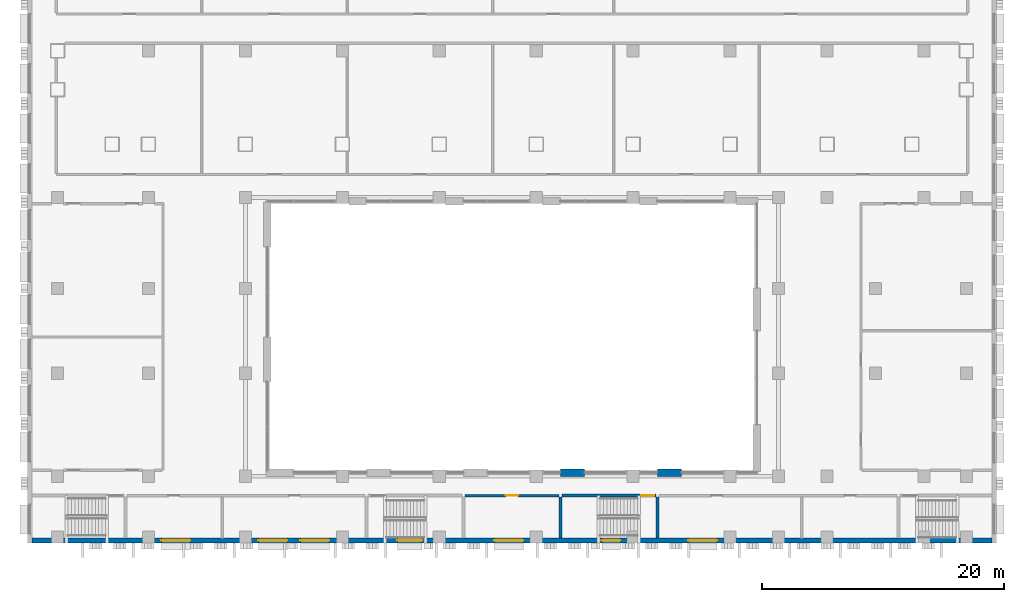
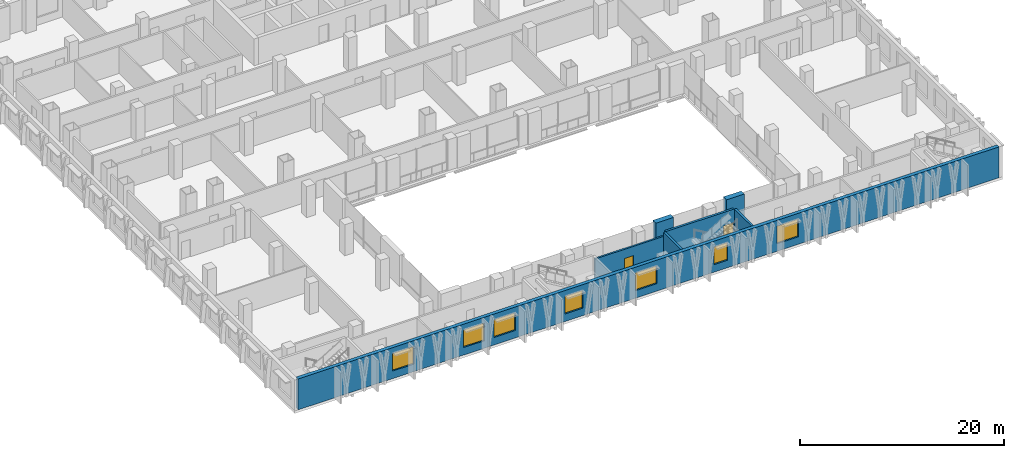
# One storey, part 8 of 24: 7 walls, 7 windows, 2 doors, 9 openings.
"""IFC4 building model written with IfcOpenShell, lengths in metres."""

from ifc_helpers import new_model, si_unit, direction, frame, frame_2d, origin, place, context, subcontext, project, spatial, rectangle, extrude, material, layer, layer_set, type_object, element, fill, save


model = new_model("IFC4")

# Units and contexts
model_context = context("Model", 3, precision=1e-05, world=origin(), true_north=direction((0.0, 1.0)))
body_context = subcontext(model_context, "Body", "Model", "MODEL_VIEW")
ifc_project = project(units=[si_unit("LENGTHUNIT", "METRE"), si_unit("AREAUNIT", "SQUARE_METRE"), si_unit("VOLUMEUNIT", "CUBIC_METRE"), si_unit("PLANEANGLEUNIT", "RADIAN"), si_unit("MASSUNIT", "GRAM", prefix="KILO")], contexts=[model_context])

# Site, building, storey
site_placement = place(None, origin())
site = spatial("IfcSite", under=ifc_project, at=site_placement, CompositionType="ELEMENT")
building_placement = place(site_placement, origin())
building = spatial("IfcBuilding", under=site, at=building_placement, Name="Vidyagriha Tower", CompositionType="ELEMENT")
storey_placement = place(building_placement, frame((0.0, 0.0, 22.0)))
storey = spatial("IfcBuildingStorey", under=building, at=storey_placement, Name="L05", CompositionType="ELEMENT", Elevation=22.0)

# Wall, openings, windows
ifc_material_1 = material(Name="Concrete C40/50 board-marked with brick facing", Category="concrete")
ifc_layer_1 = layer(ifc_material_1, 0.39990234375)
ifc_layer_set_1 = layer_set([ifc_layer_1], Name="Concrete C40/50 board-marked with brick facing")
wall_type_1 = type_object("IfcWallType", Name="Brick-faced board-marked concrete podium wall 400", PredefinedType="STANDARD", material=ifc_layer_set_1)
wall_1_placement = place(storey_placement, frame((-39.60009765625, -49.800048828125, 0.0)))
wall_1 = element("IfcWall", 1, at=wall_1_placement, inside=storey, type_object=wall_type_1, Name="Podium wall L05 R06", PredefinedType="STANDARD", context=body_context, shape_type="SweptSolid", body=[
    extrude(rectangle(XDim=79.2001953125, YDim=0.39990234375, at=frame_2d((39.60009765625, 0.0))), origin(), (0.0, 0.0, 1.0), 3.699951171875),
])
opening_1_placement = place(wall_1_placement, frame((10.6650390625, 0.0, 0.89990234375)))
opening_1 = element("IfcOpeningElement", 2, at=opening_1_placement, cuts=wall_1, Name="Opening WN3", PredefinedType="OPENING", context=body_context, shape_type="SweptSolid", body=[
    extrude(rectangle(XDim=2.39990234375, YDim=2.10009765625, at=frame_2d((1.199951171875, 1.050048828125))), frame((0.0, 0.2099609375, 0.0), z_axis=(0.0, -1.0, 0.0), x_axis=(1.0, 0.0, 0.0)), (0.0, 0.0, 1.0), 0.419921875),
])
opening_2_placement = place(wall_1_placement, frame((18.6650390625, 0.0, 0.89990234375)))
opening_2 = element("IfcOpeningElement", 3, at=opening_2_placement, cuts=wall_1, Name="Opening WN3", PredefinedType="OPENING", context=body_context, shape_type="SweptSolid", body=[
    extrude(rectangle(XDim=2.39990234375, YDim=2.10009765625, at=frame_2d((1.199951171875, 1.050048828125))), frame((0.0, 0.2099609375, 0.0), z_axis=(0.0, -1.0, 0.0), x_axis=(1.0, 0.0, 0.0)), (0.0, 0.0, 1.0), 0.419921875),
])
opening_3_placement = place(wall_1_placement, frame((22.135009765625, 0.0, 0.89990234375)))
opening_3 = element("IfcOpeningElement", 4, at=opening_3_placement, cuts=wall_1, Name="Opening WN3", PredefinedType="OPENING", context=body_context, shape_type="SweptSolid", body=[
    extrude(rectangle(XDim=2.39990234375, YDim=2.10009765625, at=frame_2d((1.199951171875, 1.050048828125))), frame((0.0, 0.2099609375, 0.0), z_axis=(0.0, -1.0, 0.0), x_axis=(1.0, 0.0, 0.0)), (0.0, 0.0, 1.0), 0.419921875),
])
opening_4_placement = place(wall_1_placement, frame((30.135009765625, 0.0, 0.89990234375)))
opening_4 = element("IfcOpeningElement", 5, at=opening_4_placement, cuts=wall_1, Name="Opening WN7", PredefinedType="OPENING", context=body_context, shape_type="SweptSolid", body=[
    extrude(rectangle(XDim=2.050048828125, YDim=2.10009765625, at=frame_2d((1.02490234375, 1.050048828125))), frame((0.0, 0.2099609375, 0.0), z_axis=(0.0, -1.0, 0.0), x_axis=(1.0, 0.0, 0.0)), (0.0, 0.0, 1.0), 0.419921875),
])
opening_5_placement = place(wall_1_placement, frame((38.135009765625, 0.0, 0.89990234375)))
opening_5 = element("IfcOpeningElement", 6, at=opening_5_placement, cuts=wall_1, Name="Opening WN3", PredefinedType="OPENING", context=body_context, shape_type="SweptSolid", body=[
    extrude(rectangle(XDim=2.39990234375, YDim=2.10009765625, at=frame_2d((1.199951171875, 1.050048828125))), frame((0.0, 0.2099609375, 0.0), z_axis=(0.0, -1.0, 0.0), x_axis=(1.0, 0.0, 0.0)), (0.0, 0.0, 1.0), 0.419921875),
])
opening_6_placement = place(wall_1_placement, frame((47.014892578125, 0.0, 0.89990234375)))
opening_6 = element("IfcOpeningElement", 7, at=opening_6_placement, cuts=wall_1, Name="Opening WN8", PredefinedType="OPENING", context=body_context, shape_type="SweptSolid", body=[
    extrude(rectangle(XDim=1.52001953125, YDim=2.10009765625, at=frame_2d((0.760009765625, 1.050048828125))), frame((0.0, 0.2099609375, 0.0), z_axis=(0.0, -1.0, 0.0), x_axis=(1.0, 0.0, 0.0)), (0.0, 0.0, 1.0), 0.419921875),
])
opening_7_placement = place(wall_1_placement, frame((54.135009765625, 0.0, 0.89990234375)))
opening_7 = element("IfcOpeningElement", 8, at=opening_7_placement, cuts=wall_1, Name="Opening WN3", PredefinedType="OPENING", context=body_context, shape_type="SweptSolid", body=[
    extrude(rectangle(XDim=2.39990234375, YDim=2.10009765625, at=frame_2d((1.199951171875, 1.050048828125))), frame((0.0, 0.2099609375, 0.0), z_axis=(0.0, -1.0, 0.0), x_axis=(1.0, 0.0, 0.0)), (0.0, 0.0, 1.0), 0.419921875),
])
ifc_material_2 = material(Name="Aluminium and glass window", Category="aluminium")
window_type_1 = type_object("IfcWindowType", Name="Podium school window 1520x2100", PartitioningType="NOTDEFINED", PredefinedType="WINDOW", material=ifc_material_2)
window_1_placement = place(opening_6_placement, origin())
window_1 = element("IfcWindow", 9, at=window_1_placement, inside=storey, type_object=window_type_1, Name="School window L05 R06.24", OverallHeight=2.10009765625, OverallWidth=1.52001953125, PartitioningType="SINGLE_PANEL", PredefinedType="WINDOW", context=body_context, shape_type="SweptSolid", body=[
    extrude(rectangle(XDim=1.52001953125, YDim=2.10009765625, at=frame_2d((0.760009765625, 1.050048828125))), frame((0.0, 0.030029296875, 0.0), z_axis=(0.0, -1.0, 0.0), x_axis=(1.0, 0.0, 0.0)), (0.0, 0.0, 1.0), 0.06005859375),
])
fill(opening_6, window_1)
ifc_material_3 = material(Name="Aluminium and glass window", Category="aluminium")
window_type_2 = type_object("IfcWindowType", Name="Podium school window 2050x2100", PartitioningType="NOTDEFINED", PredefinedType="WINDOW", material=ifc_material_3)
window_2_placement = place(opening_4_placement, origin())
window_2 = element("IfcWindow", 10, at=window_2_placement, inside=storey, type_object=window_type_2, Name="School window L05 R06.16", OverallHeight=2.10009765625, OverallWidth=2.050048828125, PartitioningType="SINGLE_PANEL", PredefinedType="WINDOW", context=body_context, shape_type="SweptSolid", body=[
    extrude(rectangle(XDim=2.050048828125, YDim=2.10009765625, at=frame_2d((1.02490234375, 1.050048828125))), frame((0.0, 0.030029296875, 0.0), z_axis=(0.0, -1.0, 0.0), x_axis=(1.0, 0.0, 0.0)), (0.0, 0.0, 1.0), 0.06005859375),
])
fill(opening_4, window_2)
ifc_material_4 = material(Name="Aluminium and glass window", Category="aluminium")
window_type_3 = type_object("IfcWindowType", Name="Podium school window 2400x2100", PartitioningType="NOTDEFINED", PredefinedType="WINDOW", material=ifc_material_4)
window_3_placement = place(opening_1_placement, origin())
window_3 = element("IfcWindow", 11, at=window_3_placement, inside=storey, type_object=window_type_3, Name="School window L05 R06.7", OverallHeight=2.10009765625, OverallWidth=2.39990234375, PartitioningType="SINGLE_PANEL", PredefinedType="WINDOW", context=body_context, shape_type="SweptSolid", body=[
    extrude(rectangle(XDim=2.39990234375, YDim=2.10009765625, at=frame_2d((1.199951171875, 1.050048828125))), frame((0.0, 0.030029296875, 0.0), z_axis=(0.0, -1.0, 0.0), x_axis=(1.0, 0.0, 0.0)), (0.0, 0.0, 1.0), 0.06005859375),
])
fill(opening_1, window_3)
window_4_placement = place(opening_2_placement, origin())
window_4 = element("IfcWindow", 12, at=window_4_placement, inside=storey, type_object=window_type_3, Name="School window L05 R06.11", OverallHeight=2.10009765625, OverallWidth=2.39990234375, PartitioningType="SINGLE_PANEL", PredefinedType="WINDOW", context=body_context, shape_type="SweptSolid", body=[
    extrude(rectangle(XDim=2.39990234375, YDim=2.10009765625, at=frame_2d((1.199951171875, 1.050048828125))), frame((0.0, 0.030029296875, 0.0), z_axis=(0.0, -1.0, 0.0), x_axis=(1.0, 0.0, 0.0)), (0.0, 0.0, 1.0), 0.06005859375),
])
fill(opening_2, window_4)
window_5_placement = place(opening_3_placement, origin())
window_5 = element("IfcWindow", 13, at=window_5_placement, inside=storey, type_object=window_type_3, Name="School window L05 R06.12", OverallHeight=2.10009765625, OverallWidth=2.39990234375, PartitioningType="SINGLE_PANEL", PredefinedType="WINDOW", context=body_context, shape_type="SweptSolid", body=[
    extrude(rectangle(XDim=2.39990234375, YDim=2.10009765625, at=frame_2d((1.199951171875, 1.050048828125))), frame((0.0, 0.030029296875, 0.0), z_axis=(0.0, -1.0, 0.0), x_axis=(1.0, 0.0, 0.0)), (0.0, 0.0, 1.0), 0.06005859375),
])
fill(opening_3, window_5)
window_6_placement = place(opening_5_placement, origin())
window_6 = element("IfcWindow", 14, at=window_6_placement, inside=storey, type_object=window_type_3, Name="School window L05 R06.20", OverallHeight=2.10009765625, OverallWidth=2.39990234375, PartitioningType="SINGLE_PANEL", PredefinedType="WINDOW", context=body_context, shape_type="SweptSolid", body=[
    extrude(rectangle(XDim=2.39990234375, YDim=2.10009765625, at=frame_2d((1.199951171875, 1.050048828125))), frame((0.0, 0.030029296875, 0.0), z_axis=(0.0, -1.0, 0.0), x_axis=(1.0, 0.0, 0.0)), (0.0, 0.0, 1.0), 0.06005859375),
])
fill(opening_5, window_6)
window_7_placement = place(opening_7_placement, origin())
window_7 = element("IfcWindow", 15, at=window_7_placement, inside=storey, type_object=window_type_3, Name="School window L05 R06.28", OverallHeight=2.10009765625, OverallWidth=2.39990234375, PartitioningType="SINGLE_PANEL", PredefinedType="WINDOW", context=body_context, shape_type="SweptSolid", body=[
    extrude(rectangle(XDim=2.39990234375, YDim=2.10009765625, at=frame_2d((1.199951171875, 1.050048828125))), frame((0.0, 0.030029296875, 0.0), z_axis=(0.0, -1.0, 0.0), x_axis=(1.0, 0.0, 0.0)), (0.0, 0.0, 1.0), 0.06005859375),
])
fill(opening_7, window_7)

# Walls
ifc_material_5 = material(Name="Precast concrete C40/50 with brick facing", Category="concrete")
ifc_layer_2 = layer(ifc_material_5, 0.60009765625)
ifc_layer_set_2 = layer_set([ifc_layer_2], Name="Precast concrete C40/50 with brick facing")
wall_type_2 = type_object("IfcWallType", Name="Brick-faced precast wall 600", PredefinedType="STANDARD", material=ifc_layer_set_2)
for number, where, z_axis, x_axis, name in (
    (16, (14.0, -44.199951171875, 0.0), (0.0, 0.0, 1.0), (-1.0, 0.0, 0.0), "Brick door bay wall L05 R07.4"),
    (17, (6.0, -44.199951171875, 0.0), (0.0, 0.0, 1.0), (-1.0, 0.0, 0.0), "Brick door bay wall L05 R07.8"),
):
    element("IfcWall", number, at=place(storey_placement, frame(where, z_axis=z_axis, x_axis=x_axis)), inside=storey, type_object=wall_type_2, Name=name, PredefinedType="STANDARD", context=body_context, shape_type="SweptSolid", body=[
        extrude(rectangle(XDim=2.0, YDim=0.60009765625, at=frame_2d((1.0, 0.0))), origin(), (0.0, 0.0, 1.0), 3.699951171875),
    ])

# Wall, opening, door
ifc_material_6 = material(Name="Concrete C32/40", Category="concrete")
ifc_layer_3 = layer(ifc_material_6, 0.25)
ifc_layer_set_3 = layer_set([ifc_layer_3], Name="Concrete C32/40")
wall_type_3 = type_object("IfcWallType", Name="Concrete Stair Enclosure Wall 250", PredefinedType="SOLIDWALL", material=ifc_layer_set_3)
wall_2_placement = place(storey_placement, frame((4.125, -46.10009765625, 0.0)))
wall_2 = element("IfcWall", 18, at=wall_2_placement, inside=storey, type_object=wall_type_3, Name="L05 Concrete Stair Enclosure Wall 250 005", PredefinedType="SOLIDWALL", context=body_context, shape_type="SweptSolid", body=[
    extrude(rectangle(XDim=7.75, YDim=0.25, at=frame_2d((3.875, 0.0))), origin(), (0.0, 0.0, 1.0), 3.699951171875),
])
opening_8_placement = place(wall_2_placement, frame((6.530029296875, 0.0, 0.0)))
opening_8 = element("IfcOpeningElement", 19, at=opening_8_placement, cuts=wall_2, Name="Opening D05-60", PredefinedType="OPENING", context=body_context, shape_type="SweptSolid", body=[
    extrude(rectangle(XDim=1.10009765625, YDim=2.10009765625, at=frame_2d((0.550048828125, 1.050048828125))), frame((0.0, 0.135009765625, 0.0), z_axis=(0.0, -1.0, 0.0), x_axis=(1.0, 0.0, 0.0)), (0.0, 0.0, 1.0), 0.27001953125),
])
ifc_material_7 = material(Name="Steel fire door set", Category="steel")
door_type_1 = type_object("IfcDoorType", Name="Podium Door 1100x2100 EI 90", OperationType="NOTDEFINED", PredefinedType="DOOR", material=ifc_material_7)
door_1_placement = place(opening_8_placement, origin())
door_1 = element("IfcDoor", 20, at=door_1_placement, inside=storey, type_object=door_type_1, Name="L05 door D05-60", OperationType="SINGLE_SWING_RIGHT", OverallHeight=2.10009765625, OverallWidth=1.10009765625, PredefinedType="DOOR", context=body_context, shape_type="SweptSolid", body=[
    extrude(rectangle(XDim=1.10009765625, YDim=2.10009765625, at=frame_2d((0.550048828125, 1.050048828125))), frame((0.0, 0.02490234375, 0.0), z_axis=(0.0, -1.0, 0.0), x_axis=(1.0, 0.0, 0.0)), (0.0, 0.0, 1.0), 0.050048828125),
])
fill(opening_8, door_1)

# Walls
for number, where, z_axis, x_axis, name in (
    (21, (4.0, -49.60009765625, 0.0), (0.0, 0.0, 1.0), (0.0, 1.0, 0.0), "L05 Concrete Stair Enclosure Wall 250 061"),
    (22, (12.0, -49.60009765625, 0.0), (0.0, 0.0, 1.0), (0.0, 1.0, 0.0), "L05 Concrete Stair Enclosure Wall 250 064"),
):
    element("IfcWall", number, at=place(storey_placement, frame(where, z_axis=z_axis, x_axis=x_axis)), inside=storey, type_object=wall_type_3, Name=name, PredefinedType="SOLIDWALL", context=body_context, shape_type="SweptSolid", body=[
        extrude(rectangle(XDim=3.375, YDim=0.25, at=frame_2d((1.6875, 0.0))), origin(), (0.0, 0.0, 1.0), 3.699951171875),
    ])

# Wall, opening, door
ifc_material_8 = material(Name="Fire rated gypsum board on light gauge framing")
ifc_layer_4 = layer(ifc_material_8, 0.199951171875)
ifc_layer_set_4 = layer_set([ifc_layer_4], Name="Fire rated gypsum board on light gauge framing")
wall_type_4 = type_object("IfcWallType", Name="Fire Rated Corridor Wall 200", PredefinedType="PARTITIONING", material=ifc_layer_set_4)
wall_3_placement = place(storey_placement, frame((-3.875, -46.10009765625, 0.0)))
wall_3 = element("IfcWall", 23, at=wall_3_placement, inside=storey, type_object=wall_type_4, Name="L05 Fire Rated Corridor Wall 200 001", PredefinedType="PARTITIONING", context=body_context, shape_type="SweptSolid", body=[
    extrude(rectangle(XDim=7.75, YDim=0.199951171875, at=frame_2d((3.875, 0.0))), origin(), (0.0, 0.0, 1.0), 3.199951171875),
])
opening_9_placement = place(wall_3_placement, frame((3.375, 0.0, 0.0)))
opening_9 = element("IfcOpeningElement", 24, at=opening_9_placement, cuts=wall_3, Name="Opening D05-25", PredefinedType="OPENING", context=body_context, shape_type="SweptSolid", body=[
    extrude(rectangle(XDim=1.0, YDim=2.10009765625, at=frame_2d((0.5, 1.050048828125))), frame((0.0, 0.10986328125, 0.0), z_axis=(0.0, -1.0, 0.0), x_axis=(1.0, 0.0, 0.0)), (0.0, 0.0, 1.0), 0.219970703125),
])
ifc_material_9 = material(Name="Steel fire door set", Category="steel")
door_type_2 = type_object("IfcDoorType", Name="Podium Door 1000x2100 EI 30", OperationType="NOTDEFINED", PredefinedType="DOOR", material=ifc_material_9)
door_2_placement = place(opening_9_placement, frame((1.0, 0.0, 0.0), z_axis=(0.0, 0.0, 1.0), x_axis=(-1.0, 0.0, 0.0)))
door_2 = element("IfcDoor", 25, at=door_2_placement, inside=storey, type_object=door_type_2, Name="L05 door D05-25", OperationType="SINGLE_SWING_LEFT", OverallHeight=2.10009765625, OverallWidth=1.0, PredefinedType="DOOR", context=body_context, shape_type="SweptSolid", body=[
    extrude(rectangle(XDim=1.0, YDim=2.10009765625, at=frame_2d((0.5, 1.050048828125))), frame((0.0, 0.02490234375, 0.0), z_axis=(0.0, -1.0, 0.0), x_axis=(1.0, 0.0, 0.0)), (0.0, 0.0, 1.0), 0.050048828125),
])
fill(opening_9, door_2)

save(model, "model.ifc")
